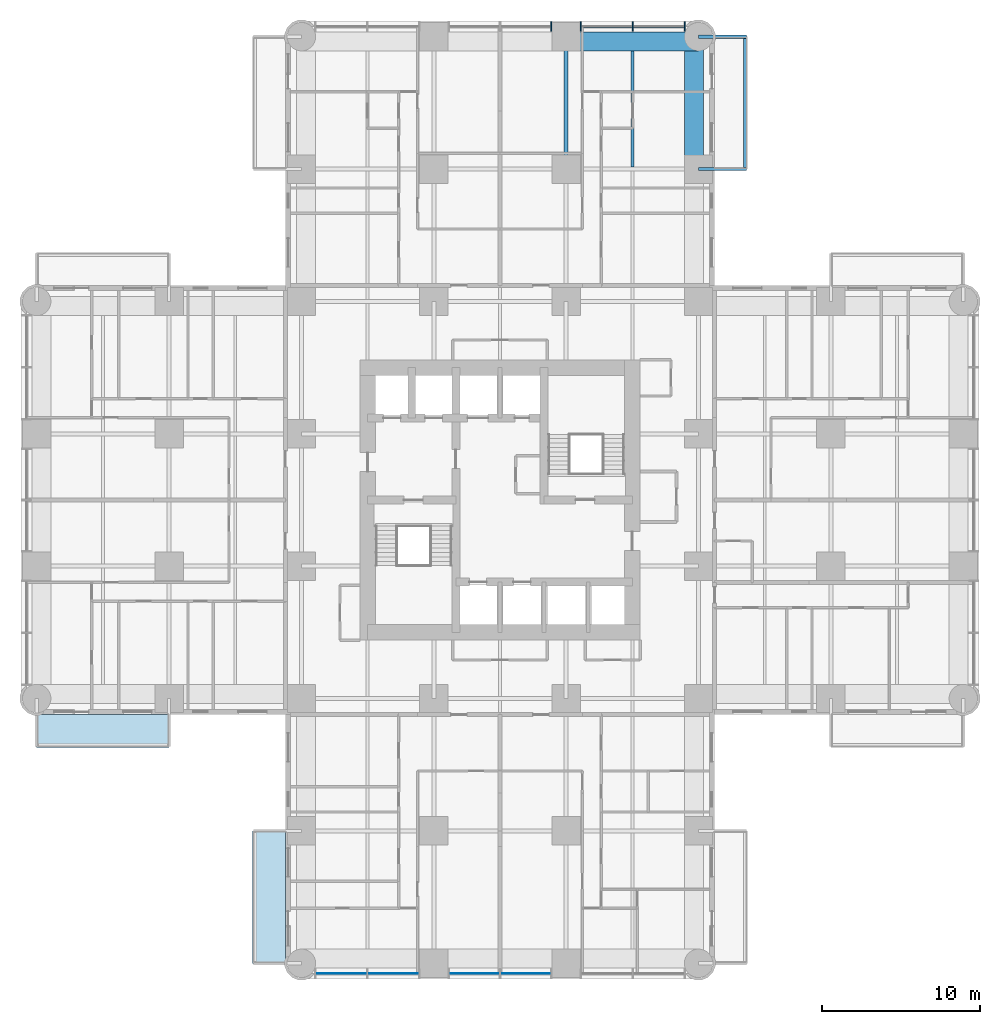
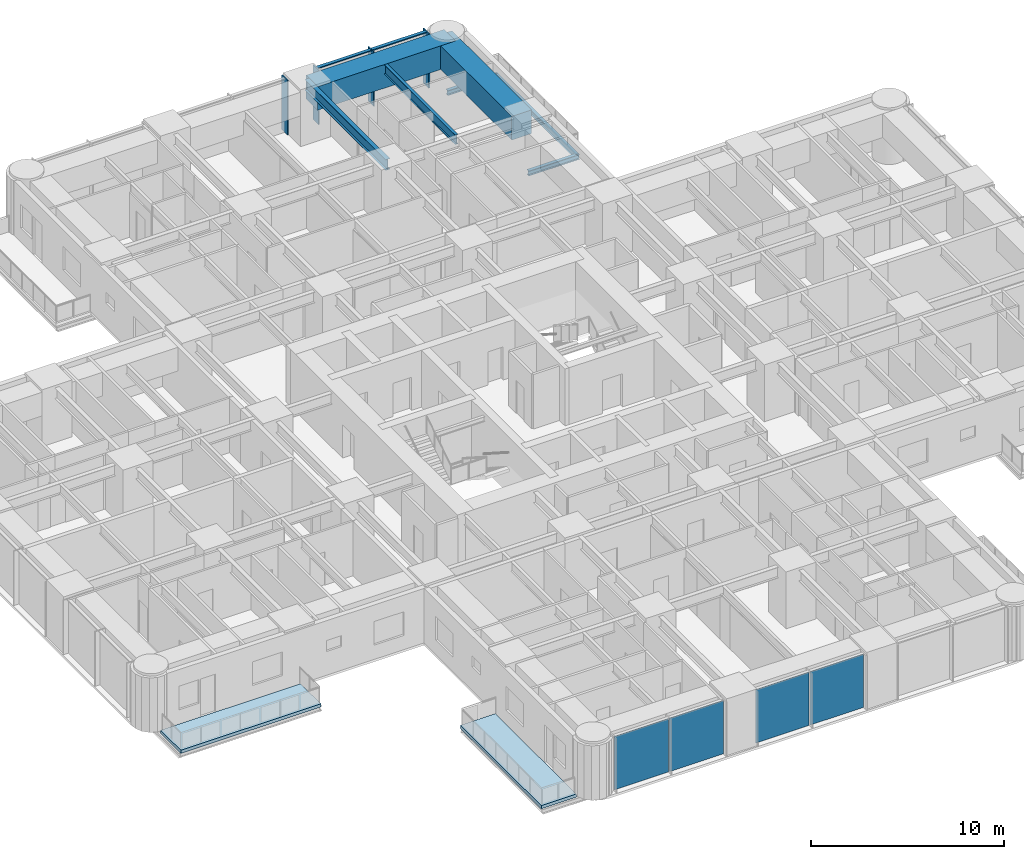
# One storey, part 5 of 17: 7 beams, 6 members, 4 plates, 2 slabs, 2 elements without a shape of their own.
"""IFC4 building model written with IfcOpenShell, lengths in metres."""

from ifc_helpers import new_model, si_unit, direction, frame, origin, origin_2d, place, context, subcontext, project, spatial, polyline, rectangle, i_section, outline, extrude, material, layer, layer_set, material_profile, profile_set, type_object, element, aggregate, save


model = new_model("IFC4")

# Units and contexts
model_context = context("Model", 3, precision=1e-05, world=origin(), true_north=direction((0.0, 1.0)))
body_context = subcontext(model_context, "Body", "Model", "MODEL_VIEW")
ifc_project = project(units=[si_unit("LENGTHUNIT", "METRE"), si_unit("AREAUNIT", "SQUARE_METRE"), si_unit("VOLUMEUNIT", "CUBIC_METRE"), si_unit("PLANEANGLEUNIT", "RADIAN"), si_unit("MASSUNIT", "GRAM", prefix="KILO")], contexts=[model_context])

# Site, building, storey
site_placement = place(None, origin())
site = spatial("IfcSite", under=ifc_project, at=site_placement, CompositionType="ELEMENT")
building_placement = place(site_placement, origin())
building = spatial("IfcBuilding", under=site, at=building_placement, Name="Torre Alcanfor", CompositionType="ELEMENT")
storey_placement = place(building_placement, frame((0.0, 0.0, 52.5)))
storey = spatial("IfcBuildingStorey", under=building, at=storey_placement, Name="L12", CompositionType="ELEMENT", Elevation=52.5)

# Beams
ifc_material_1 = material(Name="Steel ASTM A992 Grade 50", Category="steel")
ifc_material_profile_1 = material_profile(ifc_material_1, i_section(OverallWidth=0.205322265625, OverallDepth=0.309814453125, WebThickness=0.00927734375, FlangeThickness=0.016357421875, at=origin_2d()), Name="W12x50")
ifc_profile_set_1 = profile_set([ifc_material_profile_1], Name="Steel ASTM A992 Grade 50")
beam_type_1 = type_object("IfcBeamType", Name="Balcony cantilever beam W12x50", PredefinedType="BEAM", material=ifc_profile_set_1)
for number, where, z_axis, x_axis, name in (
    (1, (42.0, 50.39990234375, -0.35498046875), (1.0, 0.0, 0.0), (0.0, 1.0, 0.0), "Balcony cantilever beam L12-N2 1"),
    (2, (42.0, 58.800048828125, -0.35498046875), (1.0, 0.0, 0.0), (0.0, 1.0, 0.0), "Balcony cantilever beam L12-N2 2"),
):
    element("IfcBeam", number, at=place(storey_placement, frame(where, z_axis=z_axis, x_axis=x_axis)), inside=storey, type_object=beam_type_1, Name=name, PredefinedType="BEAM", context=body_context, shape_type="SweptSolid", body=[
        extrude(i_section(OverallWidth=0.205322265625, OverallDepth=0.309814453125, WebThickness=0.00927734375, FlangeThickness=0.016357421875, at=origin_2d()), origin(), (0.0, 0.0, 1.0), 3.050048828125),
    ])
ifc_material_2 = material(Name="Steel ASTM A992 Grade 50", Category="steel")
ifc_material_profile_2 = material_profile(ifc_material_2, i_section(OverallWidth=0.203369140625, OverallDepth=0.30224609375, WebThickness=0.007568359375, FlangeThickness=0.01318359375, at=origin_2d()), Name="W12x40")
ifc_profile_set_2 = profile_set([ifc_material_profile_2], Name="Steel ASTM A992 Grade 50")
beam_type_2 = type_object("IfcBeamType", Name="Balcony edge trimmer W12x40", PredefinedType="BEAM", material=ifc_profile_set_2)
beam_1_placement = place(storey_placement, frame((44.9482421875, 50.39990234375, -0.35107421875), z_axis=(0.0, 1.0, 0.0), x_axis=(-1.0, 0.0, 0.0)))
element("IfcBeam", 3, at=beam_1_placement, inside=storey, type_object=beam_type_2, Name="Balcony edge trimmer L12-N2", PredefinedType="BEAM", context=body_context, shape_type="SweptSolid", body=[
    extrude(i_section(OverallWidth=0.203369140625, OverallDepth=0.30224609375, WebThickness=0.007568359375, FlangeThickness=0.01318359375, at=origin_2d()), origin(), (0.0, 0.0, 1.0), 8.400146484375),
])

# Curtain wall, members
ifc_material_3 = material(Name="Aluminium and glass", Category="aluminium")
curtain_wall_type = type_object("IfcCurtainWallType", Name="CW-A unitised apartment glazing with vertical FIN", PredefinedType="NOTDEFINED", material=ifc_material_3)
curtain_wall_1_placement = place(storey_placement, origin())
curtain_wall_1 = element("IfcCurtainWall", 4, at=curtain_wall_1_placement, inside=storey, type_object=curtain_wall_type, Name="Curtain wall CW-A L12 11", PredefinedType="NOTDEFINED")
ifc_material_4 = material(Name="Bronze anodised aluminium", Category="aluminium")
ifc_material_profile_3 = material_profile(ifc_material_4, rectangle(XDim=0.60009765625, YDim=0.06494140625, at=origin_2d()), Name="CW-A mullion 65x600")
ifc_profile_set_3 = profile_set([ifc_material_profile_3], Name="Bronze anodised aluminium")
member_type_1 = type_object("IfcMemberType", Name="CW-A mullion with vertical FIN 65x600", PredefinedType="MULLION", material=ifc_profile_set_3)
member_1_placement = place(storey_placement, frame((41.133056640625, 59.449951171875, 0.0), z_axis=(0.0, 0.0, 1.0), x_axis=(0.0, -1.0, 0.0)))
member_1 = element("IfcMember", 5, at=member_1_placement, type_object=member_type_1, Name="CW-A mullion 1.1", PredefinedType="MULLION", context=body_context, shape_type="SweptSolid", body=[
    extrude(rectangle(XDim=0.60009765625, YDim=0.06494140625, at=origin_2d()), origin(), (0.0, 0.0, 1.0), 3.449951171875),
])
member_2_placement = place(storey_placement, frame((37.835205078125, 59.449951171875, 0.0), z_axis=(0.0, 0.0, 1.0), x_axis=(0.0, -1.0, 0.0)))
member_2 = element("IfcMember", 6, at=member_2_placement, type_object=member_type_1, Name="CW-A mullion 1.2", PredefinedType="MULLION", context=body_context, shape_type="SweptSolid", body=[
    extrude(rectangle(XDim=0.60009765625, YDim=0.06494140625, at=origin_2d()), origin(), (0.0, 0.0, 1.0), 3.449951171875),
])
member_3_placement = place(storey_placement, frame((34.53759765625, 59.449951171875, 0.0), z_axis=(0.0, 0.0, 1.0), x_axis=(0.0, -1.0, 0.0)))
member_3 = element("IfcMember", 7, at=member_3_placement, type_object=member_type_1, Name="CW-A mullion 1.3", PredefinedType="MULLION", context=body_context, shape_type="SweptSolid", body=[
    extrude(rectangle(XDim=0.60009765625, YDim=0.06494140625, at=origin_2d()), origin(), (0.0, 0.0, 1.0), 3.449951171875),
])
member_4_placement = place(storey_placement, frame((32.66259765625, 59.449951171875, 0.0), z_axis=(0.0, 0.0, 1.0), x_axis=(0.0, -1.0, 0.0)))
member_4 = element("IfcMember", 8, at=member_4_placement, type_object=member_type_1, Name="CW-A mullion 2.1", PredefinedType="MULLION", context=body_context, shape_type="SweptSolid", body=[
    extrude(rectangle(XDim=0.60009765625, YDim=0.06494140625, at=origin_2d()), origin(), (0.0, 0.0, 1.0), 3.449951171875),
])
ifc_material_5 = material(Name="Extruded aluminium", Category="aluminium")
ifc_material_profile_4 = material_profile(ifc_material_5, rectangle(XDim=0.199951171875, YDim=0.06494140625, at=origin_2d()), Name="CW-A transom 200x65")
ifc_profile_set_4 = profile_set([ifc_material_profile_4], Name="Extruded aluminium")
member_type_2 = type_object("IfcMemberType", Name="CW-A transom 65x200", PredefinedType="USERDEFINED", material=ifc_profile_set_4)
member_5_placement = place(storey_placement, frame((41.1005859375, 59.449951171875, 3.41748046875), z_axis=(-1.0, 0.0, 0.0), x_axis=(0.0, -1.0, 0.0)))
member_5 = element("IfcMember", 9, at=member_5_placement, type_object=member_type_2, Name="CW-A transom 1.1.2", ObjectType="TRANSOM", PredefinedType="USERDEFINED", context=body_context, shape_type="SweptSolid", body=[
    extrude(rectangle(XDim=0.199951171875, YDim=0.06494140625, at=origin_2d()), origin(), (0.0, 0.0, 1.0), 3.23291015625),
])
member_6_placement = place(storey_placement, frame((37.802734375, 59.449951171875, 3.41748046875), z_axis=(-1.0, 0.0, 0.0), x_axis=(0.0, -1.0, 0.0)))
member_6 = element("IfcMember", 10, at=member_6_placement, type_object=member_type_2, Name="CW-A transom 1.2.2", ObjectType="TRANSOM", PredefinedType="USERDEFINED", context=body_context, shape_type="SweptSolid", body=[
    extrude(rectangle(XDim=0.199951171875, YDim=0.06494140625, at=origin_2d()), origin(), (0.0, 0.0, 1.0), 3.232666015625),
])
aggregate(curtain_wall_1, [member_1, member_2, member_3, member_5, member_6, member_4])

# Beams
ifc_material_6 = material(Name="Steel ASTM A992 Grade 50", Category="steel")
ifc_material_profile_5 = material_profile(ifc_material_6, i_section(OverallWidth=0.25390625, OverallDepth=0.683349609375, WebThickness=0.012451171875, FlangeThickness=0.01904296875, at=origin_2d()), Name="W27x94")
ifc_profile_set_5 = profile_set([ifc_material_profile_5], Name="Steel ASTM A992 Grade 50")
beam_type_3 = type_object("IfcBeamType", Name="Girder W27x94", PredefinedType="BEAM", material=ifc_profile_set_5)
beam_2_placement = place(storey_placement, frame((33.60009765625, 50.39990234375, 3.1083984375), z_axis=(0.0, 1.0, 0.0), x_axis=(-1.0, 0.0, 0.0)))
element("IfcBeam", 11, at=beam_2_placement, inside=storey, type_object=beam_type_3, Name="Beam 5J-5K under L13", PredefinedType="BEAM", context=body_context, shape_type="SweptSolid", body=[
    extrude(i_section(OverallWidth=0.25390625, OverallDepth=0.683349609375, WebThickness=0.012451171875, FlangeThickness=0.01904296875, at=origin_2d()), origin(), (0.0, 0.0, 1.0), 8.400146484375),
])
ifc_material_7 = material(Name="Concrete f'c 70 MPa", Category="concrete")
ifc_material_profile_6 = material_profile(ifc_material_7, rectangle(XDim=1.199951171875, YDim=1.5, at=origin_2d()), Name="1200x1500")
ifc_profile_set_6 = profile_set([ifc_material_profile_6], Name="Concrete f'c 70 MPa")
beam_type_4 = type_object("IfcBeamType", Name="RC perimeter beam 1200x1500", PredefinedType="BEAM", material=ifc_profile_set_6)
for number, where, z_axis, x_axis, name in (
    (12, (33.72705078125, 58.5, 2.699951171875), (1.0, 0.0, 0.0), (0.0, 1.0, 0.0), "Beam 5K-6K under L13"),
    (13, (41.699951171875, 50.527099609375, 2.699951171875), (0.0, 1.0, 0.0), (-1.0, 0.0, 0.0), "Beam 6J-6K under L13"),
):
    element("IfcBeam", number, at=place(storey_placement, frame(where, z_axis=z_axis, x_axis=x_axis)), inside=storey, type_object=beam_type_4, Name=name, PredefinedType="BEAM", context=body_context, shape_type="SweptSolid", body=[
        extrude(rectangle(XDim=1.199951171875, YDim=1.5, at=origin_2d()), origin(), (0.0, 0.0, 1.0), 8.27294921875),
    ])
ifc_material_8 = material(Name="Steel ASTM A992 Grade 50", Category="steel")
ifc_material_profile_7 = material_profile(ifc_material_8, i_section(OverallWidth=0.1787109375, OverallDepth=0.60205078125, WebThickness=0.010986328125, FlangeThickness=0.014892578125, at=origin_2d()), Name="W24x62")
ifc_profile_set_7 = profile_set([ifc_material_profile_7], Name="Steel ASTM A992 Grade 50")
beam_type_5 = type_object("IfcBeamType", Name="Secondary beam W24x62", PredefinedType="BEAM", material=ifc_profile_set_7)
beam_3_placement = place(storey_placement, frame((37.800048828125, 50.527099609375, 3.14892578125), z_axis=(0.0, 1.0, 0.0), x_axis=(-1.0, 0.0, 0.0)))
element("IfcBeam", 14, at=beam_3_placement, inside=storey, type_object=beam_type_5, Name="Beam 37_8J-37_8K under L13", PredefinedType="BEAM", context=body_context, shape_type="SweptSolid", body=[
    extrude(i_section(OverallWidth=0.1787109375, OverallDepth=0.60205078125, WebThickness=0.010986328125, FlangeThickness=0.014892578125, at=origin_2d()), origin(), (0.0, 0.0, 1.0), 7.372802734375),
])

# Slabs
ifc_material_9 = material(Name="Concrete f'c 35 MPa", Category="concrete")
ifc_layer_1 = layer(ifc_material_9, 0.199951171875)
ifc_layer_set_1 = layer_set([ifc_layer_1], Name="Balcony slab 200")
slab_type = type_object("IfcSlabType", Name="Balcony slab 200", PredefinedType="FLOOR", material=ifc_layer_set_1)
slab_1_placement = place(storey_placement, frame((0.0, 0.0, -0.199951171875)))
element("IfcSlab", 15, at=slab_1_placement, inside=storey, type_object=slab_type, Name="Balcony L12-S2", PredefinedType="FLOOR", context=body_context, shape_type="SweptSolid", body=[
    extrude(outline(polyline([(13.699951171875, 8.39990234375), (13.699951171875, 0.0), (15.800048828125, 0.0), (15.800048828125, 8.39990234375), (13.699951171875, 8.39990234375)])), origin(), (0.0, 0.0, 1.0), 0.199951171875),
])
slab_2_placement = place(storey_placement, frame((0.0, 0.0, -0.199951171875)))
element("IfcSlab", 16, at=slab_2_placement, inside=storey, type_object=slab_type, Name="Balcony L12-W1", PredefinedType="FLOOR", context=body_context, shape_type="SweptSolid", body=[
    extrude(outline(polyline([(8.39990234375, 15.800048828125), (0.0, 15.800048828125), (0.0, 13.699951171875), (8.39990234375, 13.699951171875), (8.39990234375, 15.800048828125)])), origin(), (0.0, 0.0, 1.0), 0.199951171875),
])

# Curtain wall, plates
curtain_wall_2_placement = place(storey_placement, origin())
curtain_wall_2 = element("IfcCurtainWall", 17, at=curtain_wall_2_placement, inside=storey, type_object=curtain_wall_type, Name="Curtain wall CW-A L12 5", PredefinedType="NOTDEFINED")
ifc_material_10 = material(Name="Glass", Category="glass")
ifc_layer_2 = layer(ifc_material_10, 0.028076171875)
ifc_layer_set_2 = layer_set([ifc_layer_2], Name="CW-A clear double glazed unit")
plate_type = type_object("IfcPlateType", Name="CW-A clear double glazed unit", PredefinedType="CURTAIN_PANEL", material=ifc_layer_set_2)
plate_1_placement = place(storey_placement, frame((19.31591796875, -0.64990234375, 0.0), z_axis=(0.0, 0.0, 1.0), x_axis=(1.0, 0.0, 0.0)))
plate_1 = element("IfcPlate", 18, at=plate_1_placement, type_object=plate_type, Name="CW-A panel 1.1.1", PredefinedType="CURTAIN_PANEL", context=body_context, shape_type="SweptSolid", body=[
    extrude(rectangle(XDim=3.232666015625, YDim=0.028076171875, at=origin_2d()), origin(), (0.0, 0.0, 1.0), 3.385009765625),
])
plate_2_placement = place(storey_placement, frame((22.613525390625, -0.64990234375, 0.0), z_axis=(0.0, 0.0, 1.0), x_axis=(1.0, 0.0, 0.0)))
plate_2 = element("IfcPlate", 19, at=plate_2_placement, type_object=plate_type, Name="CW-A panel 1.2.1", PredefinedType="CURTAIN_PANEL", context=body_context, shape_type="SweptSolid", body=[
    extrude(rectangle(XDim=3.232666015625, YDim=0.028076171875, at=origin_2d()), origin(), (0.0, 0.0, 1.0), 3.385009765625),
])
plate_3_placement = place(storey_placement, frame((27.768798828125, -0.64990234375, 0.0), z_axis=(0.0, 0.0, 1.0), x_axis=(1.0, 0.0, 0.0)))
plate_3 = element("IfcPlate", 20, at=plate_3_placement, type_object=plate_type, Name="CW-A panel 2.1.1", PredefinedType="CURTAIN_PANEL", context=body_context, shape_type="SweptSolid", body=[
    extrude(rectangle(XDim=3.197509765625, YDim=0.028076171875, at=origin_2d()), origin(), (0.0, 0.0, 1.0), 3.385009765625),
])
plate_4_placement = place(storey_placement, frame((31.03125, -0.64990234375, 0.0), z_axis=(0.0, 0.0, 1.0), x_axis=(1.0, 0.0, 0.0)))
plate_4 = element("IfcPlate", 21, at=plate_4_placement, type_object=plate_type, Name="CW-A panel 2.2.1", PredefinedType="CURTAIN_PANEL", context=body_context, shape_type="SweptSolid", body=[
    extrude(rectangle(XDim=3.197509765625, YDim=0.028076171875, at=origin_2d()), origin(), (0.0, 0.0, 1.0), 3.385009765625),
])
aggregate(curtain_wall_2, [plate_1, plate_2, plate_3, plate_4])

save(model, "model.ifc")
